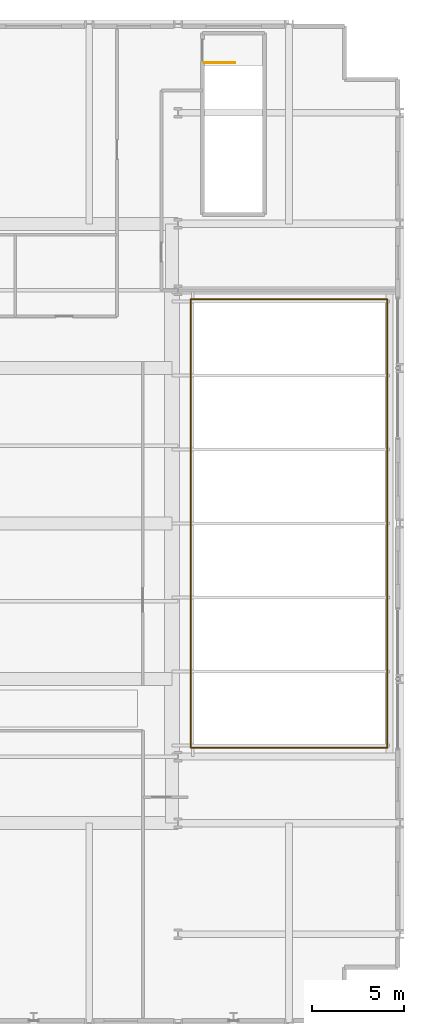
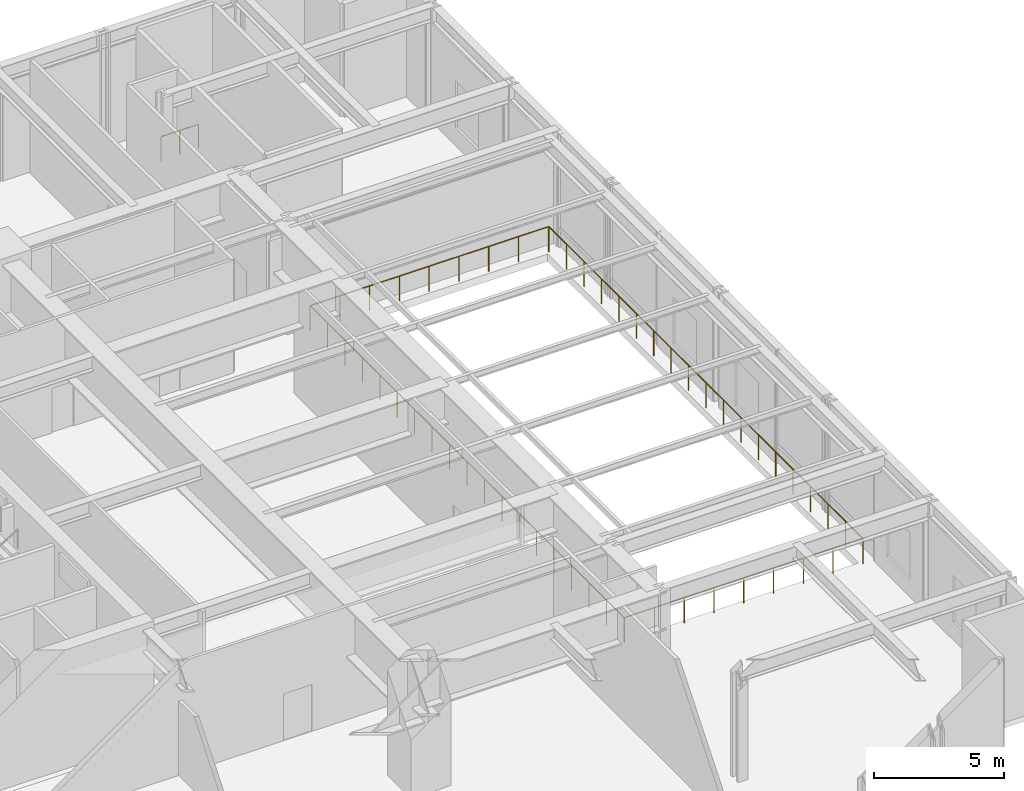
# One storey, part 19 of 19: 3 railings.
"""IFC4 building model written with IfcOpenShell, lengths in metres."""

import ifcopenshell
import ifcopenshell.guid

model = None  # the IFC model being written
_history = None  # IfcOwnerHistory: only IFC2X3 demands one
_inside = {}  # id of a spatial element -> (the spatial element, [elements in it])
_under = {}  # id of a project, library or spatial element -> (it, [spatial elements below it])
_declared = {}  # id of a project -> (the project, [libraries it declares])
_typed = {}  # id of a type object -> (the type object, [elements of that type])
_made_of = {}  # id of a material, layer set ... -> (it, [elements and type objects made of it])


def new_model(schema):
    """Start an empty IFC model of exactly this schema.

    Asked for "IFC4X3", IfcOpenShell would pick the latest addendum, in which some entities
    have other attributes; the version numbers below select the first issue.
    IFC2X3 requires an IfcOwnerHistory on every rooted entity: one is made here for all.
    """
    global model, _history
    if schema == "IFC4X3":
        model = ifcopenshell.file(schema_version=(4, 3, 0, 0))
    else:
        model = ifcopenshell.file(schema=schema)
    _inside.clear()
    _under.clear()
    _declared.clear()
    _typed.clear()
    _made_of.clear()
    _history = None
    if model.schema == "IFC2X3":
        org = make("IfcOrganization", Name="unknown")
        user = make(
            "IfcPersonAndOrganization",
            ThePerson=make("IfcPerson", FamilyName="unknown"),
            TheOrganization=org,
        )
        app = make(
            "IfcApplication",
            ApplicationDeveloper=org,
            Version="unknown",
            ApplicationFullName="unknown",
            ApplicationIdentifier="unknown",
        )
        _history = make(
            "IfcOwnerHistory",
            OwningUser=user,
            OwningApplication=app,
            ChangeAction="ADDED",
            CreationDate=0,
        )
    return model


def make(cls, **values):
    """One entity of the class cls with the attributes given. An attribute that is None is left unset."""
    return model.create_entity(
        cls, **{name: value for name, value in values.items() if value is not None}
    )


def rooted(cls, **values):
    """An entity with a GlobalId (a new one), such as an element, a storey or a relation."""
    return make(cls, GlobalId=ifcopenshell.guid.new(), OwnerHistory=_history, **values)


def si_unit(unit_type, name, prefix=None):
    """IfcSIUnit, for example si_unit("LENGTHUNIT", "METRE", prefix="MILLI")."""
    return make("IfcSIUnit", UnitType=unit_type, Prefix=prefix, Name=name)


def assignment(units):
    """IfcUnitAssignment: the units of a project."""
    return None if units is None else make("IfcUnitAssignment", Units=units)


def point(xyz):
    """IfcCartesianPoint."""
    return None if xyz is None else make("IfcCartesianPoint", Coordinates=xyz)


def direction(xyz):
    """IfcDirection."""
    return None if xyz is None else make("IfcDirection", DirectionRatios=xyz)


def frame(location, z_axis=None, x_axis=None):
    """IfcAxis2Placement3D, a coordinate frame: its origin and axes. An axis left out is left unset."""
    return make(
        "IfcAxis2Placement3D",
        Location=point(location),
        Axis=direction(z_axis),
        RefDirection=direction(x_axis),
    )


def frame_2d(location, x_axis=None):
    """IfcAxis2Placement2D, a coordinate frame in the plane: its origin and x axis."""
    return make(
        "IfcAxis2Placement2D", Location=point(location), RefDirection=direction(x_axis)
    )


def origin():
    """The frame at (0, 0, 0) with its axes left unset."""
    return frame((0.0, 0.0, 0.0))


def origin_2d():
    """The frame at (0, 0) in the plane with its x axis left unset."""
    return frame_2d((0.0, 0.0))


def place(relative_to, where):
    """IfcLocalPlacement: puts the frame where relative to a parent placement (None: the world)."""
    return make(
        "IfcLocalPlacement", PlacementRelTo=relative_to, RelativePlacement=where
    )


def context(
    kind, dimensions, precision=None, world=None, true_north=None, identifier=None
):
    """IfcGeometricRepresentationContext, for example the 3D "Model" context."""
    return make(
        "IfcGeometricRepresentationContext",
        ContextIdentifier=identifier,
        ContextType=kind,
        CoordinateSpaceDimension=dimensions,
        Precision=precision,
        WorldCoordinateSystem=world,
        TrueNorth=true_north,
    )


def subcontext(parent, identifier, kind, view, scale=None):
    """IfcGeometricRepresentationSubContext, for example "Body" below "Model"."""
    return make(
        "IfcGeometricRepresentationSubContext",
        ContextIdentifier=identifier,
        ContextType=kind,
        ParentContext=parent,
        TargetScale=scale,
        TargetView=view,
    )


def project(units=None, contexts=None):
    """IfcProject with its units and contexts."""
    return rooted(
        "IfcProject",
        Name="project",
        RepresentationContexts=contexts,
        UnitsInContext=assignment(units),
    )


def spatial(cls, under=None, at=None, **own):
    """A site, building, storey or space (cls), placed at a placement, below another one or the project."""
    s = rooted(cls, ObjectPlacement=at, **own)
    if under is not None:
        _under.setdefault(under.id(), (under, []))[1].append(s)
    return s


def profile(cls, at=None, kind="AREA", **sizes):
    """A parametric profile (cls). Its sizes go by their IFC names, for example OverallWidth=200.0."""
    return make(cls, ProfileType=kind, Position=at, **sizes)


def circle(**sizes):
    """IfcCircleProfileDef."""
    return profile("IfcCircleProfileDef", **sizes)


def extrude(swept, where, along, depth):
    """IfcExtrudedAreaSolid: the profile swept, set in the frame where, extruded along a direction by depth."""
    return make(
        "IfcExtrudedAreaSolid",
        SweptArea=swept,
        Position=where,
        ExtrudedDirection=direction(along),
        Depth=depth,
    )


def shape(context_of_items, identifier, shape_type, items):
    """IfcShapeRepresentation: the items that make up one representation, for example the "Body"."""
    return make(
        "IfcShapeRepresentation",
        ContextOfItems=context_of_items,
        RepresentationIdentifier=identifier,
        RepresentationType=shape_type,
        Items=items,
    )


def material(Name=None, Category=None):
    """IfcMaterial."""
    return make("IfcMaterial", Name=Name, Category=Category)


def made_of(thing, what):
    """Note that an element or type object is made of a material, layer set ...; save() writes the relation."""
    if what is not None:
        _made_of.setdefault(what.id(), (what, []))[1].append(thing)
    return thing


def type_object(cls, material=None, **own):
    """A type object (cls), such as IfcWallType, which elements share."""
    return made_of(rooted(cls, **own), material)


def element(
    cls,
    number,
    at=None,
    inside=None,
    cuts=None,
    type_object=None,
    material=None,
    context=None,
    identifier="Body",
    shape_type=None,
    held_by="IfcProductDefinitionShape",
    body=None,
    shapes=None,
    **own,
):
    """One element of the class cls, such as IfcWall. Its Tag is "e" and its number.

    at: its placement. inside: the storey or other place that contains it. cuts: it is an
    opening in that element (IfcRelVoidsElement). A single representation is given by context,
    identifier, shape_type and body (its items); several are given by shapes. held_by: the class
    of the entity that holds the representations. save() writes the other relations.
    """
    e = rooted(cls, Tag="e%d" % number, ObjectPlacement=at, **own)
    if body is not None:
        shapes = [shape(context, identifier, shape_type, body)]
    if shapes is not None:
        e.Representation = make(held_by, Representations=shapes)
    if inside is not None:
        _inside.setdefault(inside.id(), (inside, []))[1].append(e)
    if cuts is not None:
        rooted(
            "IfcRelVoidsElement", RelatingBuildingElement=cuts, RelatedOpeningElement=e
        )
    if type_object is not None:
        _typed.setdefault(type_object.id(), (type_object, []))[1].append(e)
    return made_of(e, material)


def aggregate(whole, parts):
    """IfcRelAggregates: a whole, such as a stair, and the parts it consists of."""
    return rooted("IfcRelAggregates", RelatingObject=whole, RelatedObjects=parts)


def save(model, path):
    """Write the relations noted so far, then the file.

    IfcRelAggregates (storeys below a building ...), IfcRelContainedInSpatialStructure (elements
    in a storey), IfcRelDefinesByType, IfcRelAssociatesMaterial and IfcRelDeclares: one each for
    every whole, place, type object, material and project.
    """
    for whole, parts in _under.values():
        aggregate(whole, parts)
    for where, things in _inside.values():
        rooted(
            "IfcRelContainedInSpatialStructure",
            RelatedElements=things,
            RelatingStructure=where,
        )
    for kind, things in _typed.values():
        rooted("IfcRelDefinesByType", RelatedObjects=things, RelatingType=kind)
    for what, things in _made_of.values():
        rooted("IfcRelAssociatesMaterial", RelatedObjects=things, RelatingMaterial=what)
    for by, libraries in _declared.values():
        rooted("IfcRelDeclares", RelatingContext=by, RelatedDefinitions=libraries)
    model.write(path)


model = new_model("IFC4")

# Units and contexts
model_context = context("Model", 3, precision=1e-05, world=origin(), true_north=direction((0.0, 1.0)))
body_context = subcontext(model_context, "Body", "Model", "MODEL_VIEW")
ifc_project = project(units=[si_unit("LENGTHUNIT", "METRE"), si_unit("AREAUNIT", "SQUARE_METRE"), si_unit("VOLUMEUNIT", "CUBIC_METRE"), si_unit("PLANEANGLEUNIT", "RADIAN"), si_unit("MASSUNIT", "GRAM", prefix="KILO")], contexts=[model_context])

# Site, building, storey
site_placement = place(None, origin())
site = spatial("IfcSite", under=ifc_project, at=site_placement, CompositionType="ELEMENT")
building_placement = place(site_placement, origin())
building = spatial("IfcBuilding", under=site, at=building_placement, Name="Drelvath Grand Hotel", CompositionType="ELEMENT")
storey_placement = place(building_placement, frame((0.0, 0.0, 27.60009765625)))
storey = spatial("IfcBuildingStorey", under=building, at=storey_placement, Name="L05", CompositionType="ELEMENT", Elevation=27.60009765625)

# Railings
ifc_material_1 = material(Name="Painted Steel S275", Category="steel")
railing_type_1 = type_object("IfcRailingType", Name="Core Stair Well Guardrail 1100", PredefinedType="GUARDRAIL", material=ifc_material_1)
railing_1_placement = place(storey_placement, frame((28.419921875, 51.89990234375, 0.0)))
element("IfcRailing", 1, at=railing_1_placement, inside=storey, type_object=railing_type_1, Name="L05 ST-4 top well guard 1", PredefinedType="GUARDRAIL", context=body_context, shape_type="SweptSolid", body=[
    extrude(circle(Radius=0.02392578125, at=origin_2d()), frame((0.0, 0.0, 1.1259765625), z_axis=(1.0, 0.0, 0.0), x_axis=(0.0, 1.0, 0.0)), (0.0, 0.0, 1.0), 1.66015625),
    extrude(circle(Radius=0.02099609375, at=origin_2d()), origin(), (0.0, 0.0, 1.0), 1.101806640625),
    extrude(circle(Radius=0.02099609375, at=origin_2d()), frame((0.830078125, 0.0, 0.0)), (0.0, 0.0, 1.0), 1.101806640625),
    extrude(circle(Radius=0.02099609375, at=origin_2d()), frame((1.66015625, 0.0, 0.0)), (0.0, 0.0, 1.0), 1.101806640625),
])
ifc_material_2 = material(Name="Anodised Aluminium and Laminated Glass Balustrade", Category="aluminium")
railing_type_2 = type_object("IfcRailingType", Name="Glazed Terrace and Atrium Balustrade 1200", PredefinedType="BALUSTRADE", material=ifc_material_2)
railing_2_placement = place(storey_placement, frame((27.7041015625, 14.8798828125, 0.0)))
element("IfcRailing", 2, at=railing_2_placement, inside=storey, type_object=railing_type_2, Name="L05 Atrium Void Perimeter Balustrade A", PredefinedType="BALUSTRADE", context=body_context, shape_type="SweptSolid", body=[
    extrude(circle(Radius=0.02392578125, at=origin_2d()), frame((0.0, 0.0, 1.17578125), z_axis=(1.0, 0.0, 0.0), x_axis=(0.0, 1.0, 0.0)), (0.0, 0.0, 1.0), 10.615966796875),
    extrude(circle(Radius=0.02392578125, at=origin_2d()), frame((10.615966796875, 0.0, 1.17578125), z_axis=(0.0, 1.0, 0.0), x_axis=(-1.0, 0.0, 0.0)), (0.0, 0.0, 1.0), 24.216064453125),
    extrude(circle(Radius=0.02099609375, at=origin_2d()), origin(), (0.0, 0.0, 1.0), 1.15185546875),
    extrude(circle(Radius=0.02099609375, at=origin_2d()), frame((1.326904296875, 0.0, 0.0)), (0.0, 0.0, 1.0), 1.15185546875),
    extrude(circle(Radius=0.02099609375, at=origin_2d()), frame((2.654052734375, 0.0, 0.0)), (0.0, 0.0, 1.0), 1.15185546875),
    extrude(circle(Radius=0.02099609375, at=origin_2d()), frame((3.98095703125, 0.0, 0.0)), (0.0, 0.0, 1.0), 1.15185546875),
    extrude(circle(Radius=0.02099609375, at=origin_2d()), frame((5.30810546875, 0.0, 0.0)), (0.0, 0.0, 1.0), 1.15185546875),
    extrude(circle(Radius=0.02099609375, at=origin_2d()), frame((6.635009765625, 0.0, 0.0)), (0.0, 0.0, 1.0), 1.15185546875),
    extrude(circle(Radius=0.02099609375, at=origin_2d()), frame((7.9619140625, 0.0, 0.0)), (0.0, 0.0, 1.0), 1.15185546875),
    extrude(circle(Radius=0.02099609375, at=origin_2d()), frame((9.2890625, 0.0, 0.0)), (0.0, 0.0, 1.0), 1.15185546875),
    extrude(circle(Radius=0.02099609375, at=origin_2d()), frame((10.615966796875, 0.0, 0.0)), (0.0, 0.0, 1.0), 1.15185546875),
    extrude(circle(Radius=0.02099609375, at=origin_2d()), frame((10.615966796875, 1.34521484375, 0.0)), (0.0, 0.0, 1.0), 1.15185546875),
    extrude(circle(Radius=0.02099609375, at=origin_2d()), frame((10.615966796875, 2.690673828125, 0.0)), (0.0, 0.0, 1.0), 1.15185546875),
    extrude(circle(Radius=0.02099609375, at=origin_2d()), frame((10.615966796875, 4.0361328125, 0.0)), (0.0, 0.0, 1.0), 1.15185546875),
    extrude(circle(Radius=0.02099609375, at=origin_2d()), frame((10.615966796875, 5.38134765625, 0.0)), (0.0, 0.0, 1.0), 1.15185546875),
    extrude(circle(Radius=0.02099609375, at=origin_2d()), frame((10.615966796875, 6.7265625, 0.0)), (0.0, 0.0, 1.0), 1.15185546875),
    extrude(circle(Radius=0.02099609375, at=origin_2d()), frame((10.615966796875, 8.072021484375, 0.0)), (0.0, 0.0, 1.0), 1.15185546875),
    extrude(circle(Radius=0.02099609375, at=origin_2d()), frame((10.615966796875, 9.41748046875, 0.0)), (0.0, 0.0, 1.0), 1.15185546875),
    extrude(circle(Radius=0.02099609375, at=origin_2d()), frame((10.615966796875, 10.7626953125, 0.0)), (0.0, 0.0, 1.0), 1.15185546875),
    extrude(circle(Radius=0.02099609375, at=origin_2d()), frame((10.615966796875, 12.10791015625, 0.0)), (0.0, 0.0, 1.0), 1.15185546875),
    extrude(circle(Radius=0.02099609375, at=origin_2d()), frame((10.615966796875, 13.453369140625, 0.0)), (0.0, 0.0, 1.0), 1.15185546875),
    extrude(circle(Radius=0.02099609375, at=origin_2d()), frame((10.615966796875, 14.798828125, 0.0)), (0.0, 0.0, 1.0), 1.15185546875),
    extrude(circle(Radius=0.02099609375, at=origin_2d()), frame((10.615966796875, 16.14404296875, 0.0)), (0.0, 0.0, 1.0), 1.15185546875),
    extrude(circle(Radius=0.02099609375, at=origin_2d()), frame((10.615966796875, 17.4892578125, 0.0)), (0.0, 0.0, 1.0), 1.15185546875),
    extrude(circle(Radius=0.02099609375, at=origin_2d()), frame((10.615966796875, 18.834716796875, 0.0)), (0.0, 0.0, 1.0), 1.15185546875),
    extrude(circle(Radius=0.02099609375, at=origin_2d()), frame((10.615966796875, 20.18017578125, 0.0)), (0.0, 0.0, 1.0), 1.15185546875),
    extrude(circle(Radius=0.02099609375, at=origin_2d()), frame((10.615966796875, 21.525390625, 0.0)), (0.0, 0.0, 1.0), 1.15185546875),
    extrude(circle(Radius=0.02099609375, at=origin_2d()), frame((10.615966796875, 22.87060546875, 0.0)), (0.0, 0.0, 1.0), 1.15185546875),
    extrude(circle(Radius=0.02099609375, at=origin_2d()), frame((10.615966796875, 24.216064453125, 0.0)), (0.0, 0.0, 1.0), 1.15185546875),
])
railing_3_placement = place(storey_placement, frame((38.2958984375, 39.1201171875, 0.0)))
element("IfcRailing", 3, at=railing_3_placement, inside=storey, type_object=railing_type_2, Name="L05 Atrium Void Perimeter Balustrade B", PredefinedType="BALUSTRADE", context=body_context, shape_type="SweptSolid", body=[
    extrude(circle(Radius=0.02392578125, at=origin_2d()), frame((0.0, 0.0, 1.17578125), z_axis=(-1.0, 0.0, 0.0), x_axis=(0.0, -1.0, 0.0)), (0.0, 0.0, 1.0), 10.615966796875),
    extrude(circle(Radius=0.02392578125, at=origin_2d()), frame((-10.615966796875, 0.0, 1.17578125), z_axis=(0.0, -1.0, 0.0), x_axis=(1.0, 0.0, 0.0)), (0.0, 0.0, 1.0), 24.216064453125),
    extrude(circle(Radius=0.02099609375, at=origin_2d()), origin(), (0.0, 0.0, 1.0), 1.15185546875),
    extrude(circle(Radius=0.02099609375, at=origin_2d()), frame((-1.326904296875, 0.0, 0.0)), (0.0, 0.0, 1.0), 1.15185546875),
    extrude(circle(Radius=0.02099609375, at=origin_2d()), frame((-2.654052734375, 0.0, 0.0)), (0.0, 0.0, 1.0), 1.15185546875),
    extrude(circle(Radius=0.02099609375, at=origin_2d()), frame((-3.98095703125, 0.0, 0.0)), (0.0, 0.0, 1.0), 1.15185546875),
    extrude(circle(Radius=0.02099609375, at=origin_2d()), frame((-5.30810546875, 0.0, 0.0)), (0.0, 0.0, 1.0), 1.15185546875),
    extrude(circle(Radius=0.02099609375, at=origin_2d()), frame((-6.635009765625, 0.0, 0.0)), (0.0, 0.0, 1.0), 1.15185546875),
    extrude(circle(Radius=0.02099609375, at=origin_2d()), frame((-7.9619140625, 0.0, 0.0)), (0.0, 0.0, 1.0), 1.15185546875),
    extrude(circle(Radius=0.02099609375, at=origin_2d()), frame((-9.2890625, 0.0, 0.0)), (0.0, 0.0, 1.0), 1.15185546875),
    extrude(circle(Radius=0.02099609375, at=origin_2d()), frame((-10.615966796875, 0.0, 0.0)), (0.0, 0.0, 1.0), 1.15185546875),
    extrude(circle(Radius=0.02099609375, at=origin_2d()), frame((-10.615966796875, -1.34521484375, 0.0)), (0.0, 0.0, 1.0), 1.15185546875),
    extrude(circle(Radius=0.02099609375, at=origin_2d()), frame((-10.615966796875, -2.690673828125, 0.0)), (0.0, 0.0, 1.0), 1.15185546875),
    extrude(circle(Radius=0.02099609375, at=origin_2d()), frame((-10.615966796875, -4.0361328125, 0.0)), (0.0, 0.0, 1.0), 1.15185546875),
    extrude(circle(Radius=0.02099609375, at=origin_2d()), frame((-10.615966796875, -5.38134765625, 0.0)), (0.0, 0.0, 1.0), 1.15185546875),
    extrude(circle(Radius=0.02099609375, at=origin_2d()), frame((-10.615966796875, -6.7265625, 0.0)), (0.0, 0.0, 1.0), 1.15185546875),
    extrude(circle(Radius=0.02099609375, at=origin_2d()), frame((-10.615966796875, -8.072021484375, 0.0)), (0.0, 0.0, 1.0), 1.15185546875),
    extrude(circle(Radius=0.02099609375, at=origin_2d()), frame((-10.615966796875, -9.41748046875, 0.0)), (0.0, 0.0, 1.0), 1.15185546875),
    extrude(circle(Radius=0.02099609375, at=origin_2d()), frame((-10.615966796875, -10.7626953125, 0.0)), (0.0, 0.0, 1.0), 1.15185546875),
    extrude(circle(Radius=0.02099609375, at=origin_2d()), frame((-10.615966796875, -12.10791015625, 0.0)), (0.0, 0.0, 1.0), 1.15185546875),
    extrude(circle(Radius=0.02099609375, at=origin_2d()), frame((-10.615966796875, -13.453369140625, 0.0)), (0.0, 0.0, 1.0), 1.15185546875),
    extrude(circle(Radius=0.02099609375, at=origin_2d()), frame((-10.615966796875, -14.798828125, 0.0)), (0.0, 0.0, 1.0), 1.15185546875),
    extrude(circle(Radius=0.02099609375, at=origin_2d()), frame((-10.615966796875, -16.14404296875, 0.0)), (0.0, 0.0, 1.0), 1.15185546875),
    extrude(circle(Radius=0.02099609375, at=origin_2d()), frame((-10.615966796875, -17.4892578125, 0.0)), (0.0, 0.0, 1.0), 1.15185546875),
    extrude(circle(Radius=0.02099609375, at=origin_2d()), frame((-10.615966796875, -18.834716796875, 0.0)), (0.0, 0.0, 1.0), 1.15185546875),
    extrude(circle(Radius=0.02099609375, at=origin_2d()), frame((-10.615966796875, -20.18017578125, 0.0)), (0.0, 0.0, 1.0), 1.15185546875),
    extrude(circle(Radius=0.02099609375, at=origin_2d()), frame((-10.615966796875, -21.525390625, 0.0)), (0.0, 0.0, 1.0), 1.15185546875),
    extrude(circle(Radius=0.02099609375, at=origin_2d()), frame((-10.615966796875, -22.87060546875, 0.0)), (0.0, 0.0, 1.0), 1.15185546875),
    extrude(circle(Radius=0.02099609375, at=origin_2d()), frame((-10.615966796875, -24.216064453125, 0.0)), (0.0, 0.0, 1.0), 1.15185546875),
])

save(model, "model.ifc")
